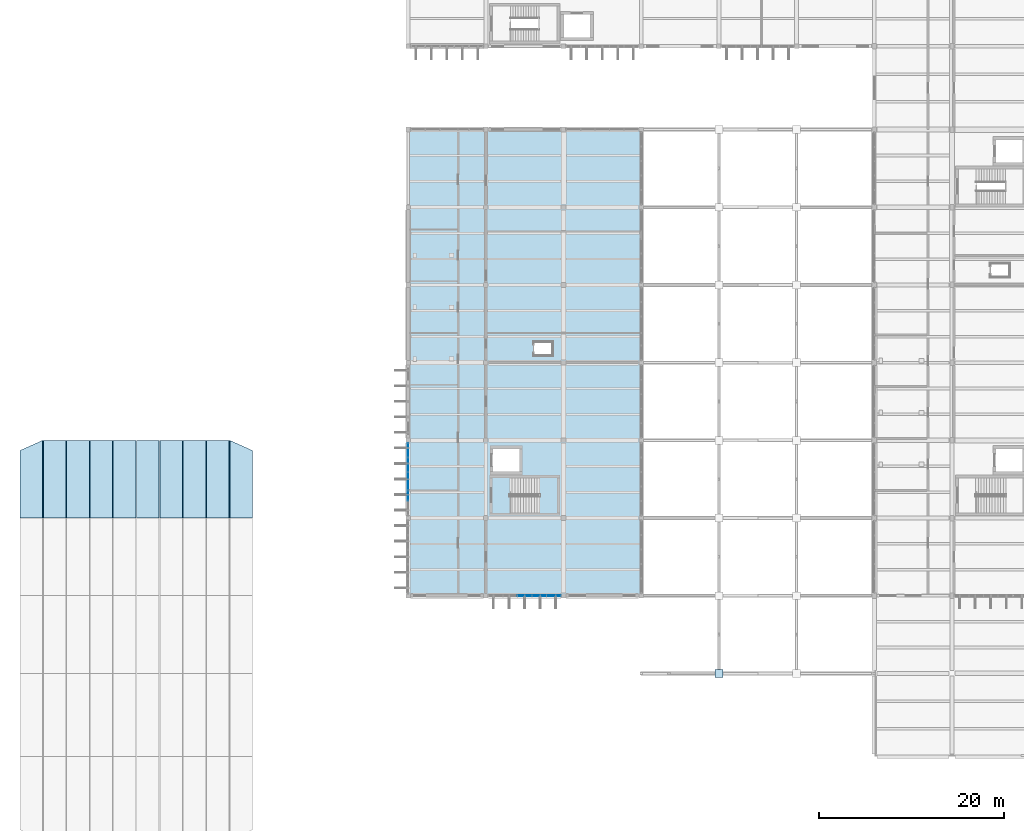
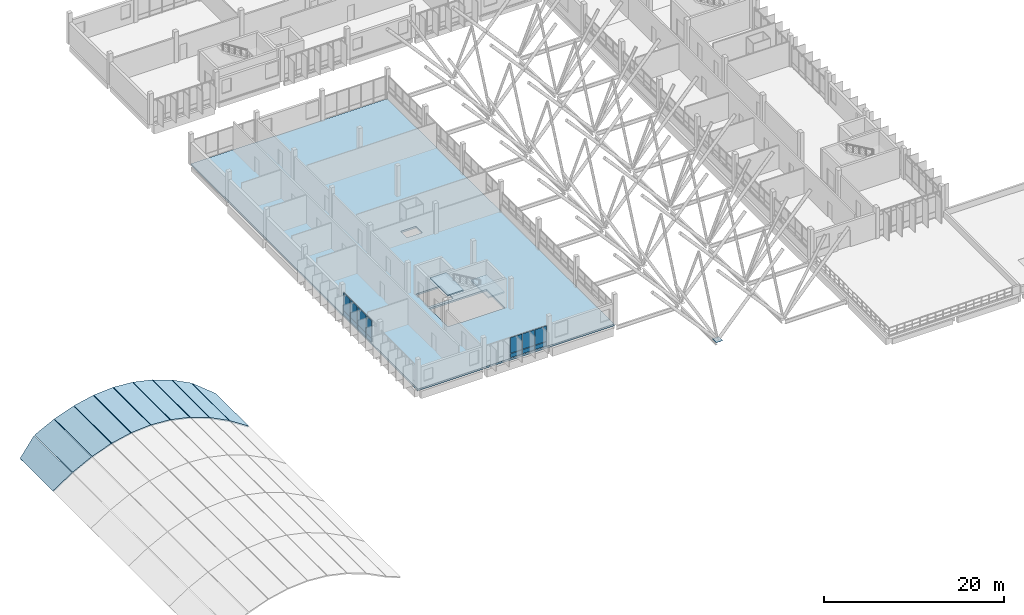
# One storey, part 73 of 107: 15 plates, 13 slabs, 3 openings, 4 elements without a shape of their own.
"""IFC4 building model written with IfcOpenShell, lengths in metres."""

from ifc_helpers import new_model, si_unit, direction, frame, origin, origin_2d, place, context, subcontext, project, spatial, polyline, rectangle, outline, extrude, material, layer, layer_set, type_object, element, aggregate, save


model = new_model("IFC4")

# Units and contexts
model_context = context("Model", 3, precision=1e-05, world=origin(), true_north=direction((0.0, 1.0)))
body_context = subcontext(model_context, "Body", "Model", "MODEL_VIEW")
ifc_project = project(units=[si_unit("LENGTHUNIT", "METRE"), si_unit("AREAUNIT", "SQUARE_METRE"), si_unit("VOLUMEUNIT", "CUBIC_METRE"), si_unit("PLANEANGLEUNIT", "RADIAN"), si_unit("MASSUNIT", "GRAM", prefix="KILO")], contexts=[model_context])

# Site, building, storey
site_placement = place(None, origin())
site = spatial("IfcSite", under=ifc_project, at=site_placement, CompositionType="ELEMENT")
building_placement = place(site_placement, origin())
building = spatial("IfcBuilding", under=site, at=building_placement, Name="Vireocrest Preparatory School", CompositionType="ELEMENT")
storey_placement = place(building_placement, frame((0.0, 0.0, 13.199951171875)))
storey = spatial("IfcBuildingStorey", under=building, at=storey_placement, Name="L03", CompositionType="ELEMENT", Elevation=13.199951171875)

# Curtain wall, plates
ifc_material_1 = material(Name="Thermally broken aluminium EN AW-6063-T6", Category="aluminium")
ifc_layer_1 = layer(ifc_material_1, 0.179931640625)
ifc_layer_set_1 = layer_set([ifc_layer_1], Name="Thermally broken aluminium EN AW-6063-T6")
curtain_wall_type_1 = type_object("IfcCurtainWallType", Name="Teaching Fin Curtain Wall 8400x4200", PredefinedType="USERDEFINED", material=ifc_layer_set_1)
curtain_wall_1_placement = place(storey_placement, origin())
curtain_wall_1 = element("IfcCurtainWall", 1, at=curtain_wall_1_placement, inside=storey, type_object=curtain_wall_type_1, Name="Curtain Wall CW03 CW_L03_CW03_0420_0440_132", ObjectType="CURTAIN WALL", PredefinedType="USERDEFINED")
ifc_material_2 = material(Name="Insulated triple low-e tempered safety glass", Category="glass")
ifc_layer_2 = layer(ifc_material_2, 0.074951171875)
ifc_layer_set_2 = layer_set([ifc_layer_2], Name="Insulated triple low-e tempered safety glass")
plate_type_1 = type_object("IfcPlateType", Name="Acoustic Triple-Glazed Lab Curtain Panel 75", PredefinedType="CURTAIN_PANEL", material=ifc_layer_set_2)
plate_1_placement = place(storey_placement, frame((42.0, 46.2255859375, 0.12744140625), z_axis=(0.0, 0.0, 1.0), x_axis=(0.0, 1.0, 0.0)))
plate_1 = element("IfcPlate", 2, at=plate_1_placement, type_object=plate_type_1, Name="CW Panel GL2 CW_L03_CW03_0420_0440_132-2-1", PredefinedType="CURTAIN_PANEL", context=body_context, shape_type="SweptSolid", body=[
    extrude(rectangle(XDim=1.083984375, YDim=0.074951171875, at=origin_2d()), origin(), (0.0, 0.0, 1.0), 0.5400390625),
])
plate_2_placement = place(storey_placement, frame((42.0, 46.2255859375, 0.732421875), z_axis=(0.0, 0.0, 1.0), x_axis=(0.0, 1.0, 0.0)))
plate_2 = element("IfcPlate", 3, at=plate_2_placement, type_object=plate_type_1, Name="CW Panel GL2 CW_L03_CW03_0420_0440_132-2-2", PredefinedType="CURTAIN_PANEL", context=body_context, shape_type="SweptSolid", body=[
    extrude(rectangle(XDim=1.083984375, YDim=0.074951171875, at=origin_2d()), origin(), (0.0, 0.0, 1.0), 2.3701171875),
])
plate_3_placement = place(storey_placement, frame((42.0, 47.79150390625, 0.12744140625), z_axis=(0.0, 0.0, 1.0), x_axis=(0.0, 1.0, 0.0)))
plate_3 = element("IfcPlate", 4, at=plate_3_placement, type_object=plate_type_1, Name="CW Panel GL2 CW_L03_CW03_0420_0440_132-3-1", PredefinedType="CURTAIN_PANEL", context=body_context, shape_type="SweptSolid", body=[
    extrude(rectangle(XDim=1.91796875, YDim=0.074951171875, at=origin_2d()), origin(), (0.0, 0.0, 1.0), 0.5400390625),
])
plate_4_placement = place(storey_placement, frame((42.0, 47.79150390625, 0.732421875), z_axis=(0.0, 0.0, 1.0), x_axis=(0.0, 1.0, 0.0)))
plate_4 = element("IfcPlate", 5, at=plate_4_placement, type_object=plate_type_1, Name="CW Panel GL2 CW_L03_CW03_0420_0440_132-3-2", PredefinedType="CURTAIN_PANEL", context=body_context, shape_type="SweptSolid", body=[
    extrude(rectangle(XDim=1.91796875, YDim=0.074951171875, at=origin_2d()), origin(), (0.0, 0.0, 1.0), 2.3701171875),
])
plate_5_placement = place(storey_placement, frame((42.0, 49.56591796875, 0.12744140625), z_axis=(0.0, 0.0, 1.0), x_axis=(0.0, 1.0, 0.0)))
plate_5 = element("IfcPlate", 6, at=plate_5_placement, type_object=plate_type_1, Name="CW Panel GL2 CW_L03_CW03_0420_0440_132-4-1", PredefinedType="CURTAIN_PANEL", context=body_context, shape_type="SweptSolid", body=[
    extrude(rectangle(XDim=1.5009765625, YDim=0.074951171875, at=origin_2d()), origin(), (0.0, 0.0, 1.0), 0.5400390625),
])
plate_6_placement = place(storey_placement, frame((42.0, 49.56591796875, 0.732421875), z_axis=(0.0, 0.0, 1.0), x_axis=(0.0, 1.0, 0.0)))
plate_6 = element("IfcPlate", 7, at=plate_6_placement, type_object=plate_type_1, Name="CW Panel GL2 CW_L03_CW03_0420_0440_132-4-2", PredefinedType="CURTAIN_PANEL", context=body_context, shape_type="SweptSolid", body=[
    extrude(rectangle(XDim=1.5009765625, YDim=0.074951171875, at=origin_2d()), origin(), (0.0, 0.0, 1.0), 2.3701171875),
])
plate_7_placement = place(storey_placement, frame((42.0, 51.132080078125, 0.12744140625), z_axis=(0.0, 0.0, 1.0), x_axis=(0.0, 1.0, 0.0)))
plate_7 = element("IfcPlate", 8, at=plate_7_placement, type_object=plate_type_1, Name="CW Panel GL2 CW_L03_CW03_0420_0440_132-5-1", PredefinedType="CURTAIN_PANEL", context=body_context, shape_type="SweptSolid", body=[
    extrude(rectangle(XDim=1.5009765625, YDim=0.074951171875, at=origin_2d()), origin(), (0.0, 0.0, 1.0), 0.5400390625),
])
plate_8_placement = place(storey_placement, frame((42.0, 51.132080078125, 0.732421875), z_axis=(0.0, 0.0, 1.0), x_axis=(0.0, 1.0, 0.0)))
plate_8 = element("IfcPlate", 9, at=plate_8_placement, type_object=plate_type_1, Name="CW Panel GL2 CW_L03_CW03_0420_0440_132-5-2", PredefinedType="CURTAIN_PANEL", context=body_context, shape_type="SweptSolid", body=[
    extrude(rectangle(XDim=1.5009765625, YDim=0.074951171875, at=origin_2d()), origin(), (0.0, 0.0, 1.0), 2.3701171875),
])
aggregate(curtain_wall_1, [plate_1, plate_2, plate_3, plate_4, plate_5, plate_6, plate_7, plate_8])

ifc_layer_3 = layer(ifc_material_1, 0.179931640625)
ifc_layer_set_3 = layer_set([ifc_layer_3], Name="Thermally broken aluminium EN AW-6063-T6")
curtain_wall_type_2 = type_object("IfcCurtainWallType", Name="Library Reading Bay Glazing 7600x4200", PredefinedType="USERDEFINED", material=ifc_layer_set_3)
curtain_wall_2_placement = place(storey_placement, origin())
curtain_wall_2 = element("IfcCurtainWall", 10, at=curtain_wall_2_placement, inside=storey, type_object=curtain_wall_type_2, Name="Curtain Wall CW16 CW_L03_CW16_0506_0354_132", ObjectType="CURTAIN WALL", PredefinedType="USERDEFINED")
plate_9_placement = place(storey_placement, frame((54.60009765625, 35.39990234375, 0.12744140625), z_axis=(0.0, 0.0, 1.0), x_axis=(1.0, 0.0, 0.0)))
plate_9 = element("IfcPlate", 11, at=plate_9_placement, type_object=plate_type_1, Name="CW Panel GL2 CW_L03_CW16_0506_0354_132-3-1", PredefinedType="CURTAIN_PANEL", context=body_context, shape_type="SweptSolid", body=[
    extrude(rectangle(XDim=1.5009765625, YDim=0.074951171875, at=origin_2d()), origin(), (0.0, 0.0, 1.0), 0.5400390625),
])
plate_10_placement = place(storey_placement, frame((54.60009765625, 35.39990234375, 0.732421875), z_axis=(0.0, 0.0, 1.0), x_axis=(1.0, 0.0, 0.0)))
plate_10 = element("IfcPlate", 12, at=plate_10_placement, type_object=plate_type_1, Name="CW Panel GL2 CW_L03_CW16_0506_0354_132-3-2", PredefinedType="CURTAIN_PANEL", context=body_context, shape_type="SweptSolid", body=[
    extrude(rectangle(XDim=1.5009765625, YDim=0.074951171875, at=origin_2d()), origin(), (0.0, 0.0, 1.0), 2.090087890625),
])
plate_11_placement = place(storey_placement, frame((56.166015625, 35.39990234375, 0.12744140625), z_axis=(0.0, 0.0, 1.0), x_axis=(1.0, 0.0, 0.0)))
plate_11 = element("IfcPlate", 13, at=plate_11_placement, type_object=plate_type_1, Name="CW Panel GL2 CW_L03_CW16_0506_0354_132-4-1", PredefinedType="CURTAIN_PANEL", context=body_context, shape_type="SweptSolid", body=[
    extrude(rectangle(XDim=1.5009765625, YDim=0.074951171875, at=origin_2d()), origin(), (0.0, 0.0, 1.0), 0.5400390625),
])
plate_12_placement = place(storey_placement, frame((56.166015625, 35.39990234375, 0.732421875), z_axis=(0.0, 0.0, 1.0), x_axis=(1.0, 0.0, 0.0)))
plate_12 = element("IfcPlate", 14, at=plate_12_placement, type_object=plate_type_1, Name="CW Panel GL2 CW_L03_CW16_0506_0354_132-4-2", PredefinedType="CURTAIN_PANEL", context=body_context, shape_type="SweptSolid", body=[
    extrude(rectangle(XDim=1.5009765625, YDim=0.074951171875, at=origin_2d()), origin(), (0.0, 0.0, 1.0), 2.090087890625),
])
plate_13_placement = place(storey_placement, frame((57.73193359375, 35.39990234375, 0.12744140625), z_axis=(0.0, 0.0, 1.0), x_axis=(1.0, 0.0, 0.0)))
plate_13 = element("IfcPlate", 15, at=plate_13_placement, type_object=plate_type_1, Name="CW Panel GL2 CW_L03_CW16_0506_0354_132-5-1", PredefinedType="CURTAIN_PANEL", context=body_context, shape_type="SweptSolid", body=[
    extrude(rectangle(XDim=1.5009765625, YDim=0.074951171875, at=origin_2d()), origin(), (0.0, 0.0, 1.0), 0.5400390625),
])
plate_14_placement = place(storey_placement, frame((57.73193359375, 35.39990234375, 0.732421875), z_axis=(0.0, 0.0, 1.0), x_axis=(1.0, 0.0, 0.0)))
plate_14 = element("IfcPlate", 16, at=plate_14_placement, type_object=plate_type_1, Name="CW Panel GL2 CW_L03_CW16_0506_0354_132-5-2", PredefinedType="CURTAIN_PANEL", context=body_context, shape_type="SweptSolid", body=[
    extrude(rectangle(XDim=1.5009765625, YDim=0.074951171875, at=origin_2d()), origin(), (0.0, 0.0, 1.0), 2.090087890625),
])
aggregate(curtain_wall_2, [plate_9, plate_10, plate_11, plate_12, plate_13, plate_14])

# Roof, slabs
ifc_material_3 = material(Name="Structural steel ASTM A992 Grade 50", Category="steel")
ifc_layer_4 = layer(ifc_material_3, 0.159912109375)
ifc_layer_set_4 = layer_set([ifc_layer_4], Name="Structural steel ASTM A992 Grade 50")
roof_type = type_object("IfcRoofType", Name="Exposed Steel Barrel Vault Roof Assembly", PredefinedType="BARREL_ROOF", material=ifc_layer_set_4)
roof_placement = place(storey_placement, origin())
roof = element("IfcRoof", 17, at=roof_placement, inside=storey, type_object=roof_type, Name="Sports Hall Barrel Vault Roof", PredefinedType="BARREL_ROOF")
ifc_material_4 = material(Name="Concrete 40 MPa", Category="concrete")
ifc_layer_5 = layer(ifc_material_4, 0.159912109375)
ifc_layer_set_5 = layer_set([ifc_layer_5], Name="Concrete 40 MPa")
slab_type_1 = type_object("IfcSlabType", Name="Barrel Vault Insulated Composite Roof Deck 160", PredefinedType="ROOF", material=ifc_layer_set_5)
slab_1_placement = place(storey_placement, frame((0.034912109375, 43.800048828125, -4.232421875), z_axis=(-0.549114740494, 0.0, 0.835746972338), x_axis=(0.835746972338, 0.0, 0.549114740494)))
slab_1 = element("IfcSlab", 18, at=slab_1_placement, type_object=slab_type_1, Name="Sports Hall Barrel Vault Roof Barrel Vault Roof Slab 5-1", PredefinedType="ROOF", context=body_context, shape_type="SweptSolid", body=[
    extrude(outline(polyline([(0.0, 0.0), (2.9317429719731556, 0.0), (2.9317429719731556, 8.39990234375), (0.0, 7.300048828125), (0.0, 0.0)])), origin(), (0.0, 0.0, -1.0), 0.159912109375),
])
slab_2_placement = place(storey_placement, frame((2.554931640625, 43.800048828125, -2.58154296875), z_axis=(-0.455111059789, 0.0, 0.890434682196), x_axis=(0.890434682196, 0.0, 0.455111059789)))
slab_2 = element("IfcSlab", 19, at=slab_2_placement, type_object=slab_type_1, Name="Sports Hall Barrel Vault Roof Barrel Vault Roof Slab 5-2", PredefinedType="ROOF", context=body_context, shape_type="SweptSolid", body=[
    extrude(outline(polyline([(0.0, 0.0), (2.7514103177480473, 0.0), (2.7514103177480473, 8.39990234375), (0.0, 8.39990234375), (0.0, 0.0)])), origin(), (0.0, 0.0, -1.0), 0.159912109375),
])
slab_3_placement = place(storey_placement, frame((5.074951171875, 43.800048828125, -1.298583984375), z_axis=(-0.342892773142, 0.0, 0.9393745505), x_axis=(0.9393745505, 0.0, 0.342892773142)))
slab_3 = element("IfcSlab", 20, at=slab_3_placement, type_object=slab_type_1, Name="Sports Hall Barrel Vault Roof Barrel Vault Roof Slab 5-3", PredefinedType="ROOF", context=body_context, shape_type="SweptSolid", body=[
    extrude(outline(polyline([(0.0, 0.0), (2.6080663677456486, 0.0), (2.6080663677456486, 8.399902343750002), (0.0, 8.399902343750002), (0.0, 0.0)])), origin(), (0.0, 0.0, -1.0), 0.159912109375),
])
slab_4_placement = place(storey_placement, frame((7.594970703125, 43.800048828125, -0.3837890625), z_axis=(-0.213961050229, 0.0, 0.976842192468), x_axis=(0.976842192468, 0.0, 0.213961050229)))
slab_4 = element("IfcSlab", 21, at=slab_4_placement, type_object=slab_type_1, Name="Sports Hall Barrel Vault Roof Barrel Vault Roof Slab 5-4", PredefinedType="ROOF", context=body_context, shape_type="SweptSolid", body=[
    extrude(outline(polyline([(0.0, 0.0), (2.5080316869667203, 0.0), (2.5080316869667203, 8.39990234375), (0.0, 8.39990234375), (0.0, 0.0)])), origin(), (0.0, 0.0, -1.0), 0.159912109375),
])
slab_5_placement = place(storey_placement, frame((10.114990234375, 43.800048828125, 0.1630859375), z_axis=(-0.072850257923, 0.0, 0.997342889843), x_axis=(0.997342889843, 0.0, 0.072850257923)))
slab_5 = element("IfcSlab", 22, at=slab_5_placement, type_object=slab_type_1, Name="Sports Hall Barrel Vault Roof Barrel Vault Roof Slab 5-5", PredefinedType="ROOF", context=body_context, shape_type="SweptSolid", body=[
    extrude(outline(polyline([(0.0, 0.0), (2.4564783053302977, 0.0), (2.4564783053302977, 8.399902343750002), (0.0, 8.399902343750002), (0.0, 0.0)])), origin(), (0.0, 0.0, -1.0), 0.159912109375),
])
slab_6_placement = place(storey_placement, frame((12.635009765625, 43.800048828125, 0.342041015625), z_axis=(0.072850257923, 0.0, 0.997342889843), x_axis=(0.997342889843, 0.0, -0.072850257923)))
slab_6 = element("IfcSlab", 23, at=slab_6_placement, type_object=slab_type_1, Name="Sports Hall Barrel Vault Roof Barrel Vault Roof Slab 5-6", PredefinedType="ROOF", context=body_context, shape_type="SweptSolid", body=[
    extrude(outline(polyline([(0.0, 0.0), (2.4564783053302977, 0.0), (2.4564783053302977, 8.399902343750002), (0.0, 8.399902343750002), (0.0, 0.0)])), origin(), (0.0, 0.0, -1.0), 0.159912109375),
])
slab_7_placement = place(storey_placement, frame((15.155029296875, 43.800048828125, 0.15283203125), z_axis=(0.213961050229, 0.0, 0.976842192468), x_axis=(0.976842192468, 0.0, -0.213961050229)))
slab_7 = element("IfcSlab", 24, at=slab_7_placement, type_object=slab_type_1, Name="Sports Hall Barrel Vault Roof Barrel Vault Roof Slab 5-7", PredefinedType="ROOF", context=body_context, shape_type="SweptSolid", body=[
    extrude(outline(polyline([(0.0, 0.0), (2.5080316869667203, 0.0), (2.5080316869667203, 8.39990234375), (0.0, 8.39990234375), (0.0, 0.0)])), origin(), (0.0, 0.0, -1.0), 0.159912109375),
])
slab_8_placement = place(storey_placement, frame((17.675048828125, 43.800048828125, -0.404296875), z_axis=(0.342892773142, 0.0, 0.9393745505), x_axis=(0.9393745505, 0.0, -0.342892773142)))
slab_8 = element("IfcSlab", 25, at=slab_8_placement, type_object=slab_type_1, Name="Sports Hall Barrel Vault Roof Barrel Vault Roof Slab 5-8", PredefinedType="ROOF", context=body_context, shape_type="SweptSolid", body=[
    extrude(outline(polyline([(0.0, 0.0), (2.6080663677456486, 0.0), (2.6080663677456486, 8.399902343750002), (0.0, 8.399902343750002), (0.0, 0.0)])), origin(), (0.0, 0.0, -1.0), 0.159912109375),
])
slab_9_placement = place(storey_placement, frame((20.195068359375, 43.800048828125, -1.329345703125), z_axis=(0.455111059789, 0.0, 0.890434682196), x_axis=(0.890434682196, 0.0, -0.455111059789)))
slab_9 = element("IfcSlab", 26, at=slab_9_placement, type_object=slab_type_1, Name="Sports Hall Barrel Vault Roof Barrel Vault Roof Slab 5-9", PredefinedType="ROOF", context=body_context, shape_type="SweptSolid", body=[
    extrude(outline(polyline([(0.0, 0.0), (2.7514103177480473, 0.0), (2.7514103177480473, 8.39990234375), (0.0, 8.39990234375), (0.0, 0.0)])), origin(), (0.0, 0.0, -1.0), 0.159912109375),
])
slab_10_placement = place(storey_placement, frame((22.715087890625, 43.800048828125, -2.62255859375), z_axis=(0.549152959182, 0.0, 0.835721860084), x_axis=(0.835721860084, 0.0, -0.549152959182)))
slab_10 = element("IfcSlab", 27, at=slab_10_placement, type_object=slab_type_1, Name="Sports Hall Barrel Vault Roof Barrel Vault Roof Slab 5-10", PredefinedType="ROOF", context=body_context, shape_type="SweptSolid", body=[
    extrude(outline(polyline([(0.0, 0.0), (2.931538935250341, 0.0), (2.931538935250341, 7.300048828125), (0.0, 8.39990234375), (0.0, 0.0)])), origin(), (0.0, 0.0, -1.0), 0.159912109375),
])
aggregate(roof, [slab_1, slab_2, slab_3, slab_4, slab_5, slab_6, slab_7, slab_8, slab_9, slab_10])

# Slab, openings
ifc_layer_6 = layer(ifc_material_4, 0.239990234375)
ifc_layer_set_6 = layer_set([ifc_layer_6], Name="Concrete 40 MPa")
slab_type_2 = type_object("IfcSlabType", Name="Classroom Suspended RC Floor Slab 240", PredefinedType="FLOOR", material=ifc_layer_set_6)
slab_11_placement = place(storey_placement, frame((0.0, 0.0, -0.239990234375)))
slab_11 = element("IfcSlab", 28, at=slab_11_placement, inside=storey, type_object=slab_type_2, Name="Slab L03_WEST_BAR", PredefinedType="FLOOR", context=body_context, shape_type="SweptSolid", body=[
    extrude(outline(polyline([(42.0, 35.39990234375), (67.199951171875, 35.39990234375), (67.199951171875, 85.800048828125), (42.0, 85.800048828125), (42.0, 35.39990234375)])), origin(), (0.0, 0.0, 1.0), 0.239990234375),
])
opening_1_placement = place(slab_11_placement, frame((0.0, 0.0, -0.010009765625)))
element("IfcOpeningElement", 29, at=opening_1_placement, cuts=slab_11, Name="Slab Opening SLAB_L03_WEST_BAR-1", PredefinedType="OPENING", context=body_context, shape_type="SweptSolid", body=[
    extrude(outline(polyline([(50.949951171875, 44.199951171875), (58.25, 44.199951171875), (58.25, 48.300048828125), (50.949951171875, 48.300048828125), (50.949951171875, 44.199951171875)])), origin(), (0.0, 0.0, 1.0), 0.260009765625),
])
opening_2_placement = place(slab_11_placement, frame((0.0, 0.0, -0.010009765625)))
element("IfcOpeningElement", 30, at=opening_2_placement, cuts=slab_11, Name="Slab Opening SLAB_L03_WEST_BAR-2", PredefinedType="OPENING", context=body_context, shape_type="SweptSolid", body=[
    extrude(outline(polyline([(51.0, 48.64990234375), (54.199951171875, 48.64990234375), (54.199951171875, 51.449951171875), (51.0, 51.449951171875), (51.0, 48.64990234375)])), origin(), (0.0, 0.0, 1.0), 0.260009765625),
])
opening_3_placement = place(slab_11_placement, frame((0.0, 0.0, -0.010009765625)))
element("IfcOpeningElement", 31, at=opening_3_placement, cuts=slab_11, Name="Slab Opening SLAB_L03_WEST_BAR-3", PredefinedType="OPENING", context=body_context, shape_type="SweptSolid", body=[
    extrude(outline(polyline([(55.60009765625, 61.39990234375), (57.60009765625, 61.39990234375), (57.60009765625, 62.800048828125), (55.60009765625, 62.800048828125), (55.60009765625, 61.39990234375)])), origin(), (0.0, 0.0, 1.0), 0.260009765625),
])

# Stair, slabs
stair_type = type_object("IfcStairType", Name="Feature Library Stair 4200 Rise 1800 Wide", PredefinedType="HALF_TURN_STAIR", material=ifc_material_4)
stair_placement = place(storey_placement, origin())
stair = element("IfcStair", 32, at=stair_placement, inside=storey, type_object=stair_type, Name="Two-Run Stair ST1-L03", PredefinedType="HALF_TURN_STAIR")
ifc_layer_7 = layer(ifc_material_4, 0.179931640625)
ifc_layer_set_7 = layer_set([ifc_layer_7], Name="Concrete 40 MPa")
slab_type_3 = type_object("IfcSlabType", Name="Precast Concrete Stair Landing Slab 180", PredefinedType="LANDING", material=ifc_layer_set_7)
slab_12_placement = place(storey_placement, frame((0.0, 0.0, 1.920166015625)))
slab_12 = element("IfcSlab", 33, at=slab_12_placement, type_object=slab_type_3, Name="Stair Half-Landing ST1-L03", PredefinedType="LANDING", context=body_context, shape_type="SweptSolid", body=[
    extrude(outline(polyline([(56.18994140625, 44.31005859375), (58.2451171875, 44.31005859375), (58.2451171875, 48.18994140625), (56.18994140625, 48.18994140625), (56.18994140625, 44.31005859375)])), origin(), (0.0, 0.0, 1.0), 0.179931640625),
])
slab_13_placement = place(storey_placement, frame((0.0, 0.0, 4.02001953125)))
slab_13 = element("IfcSlab", 34, at=slab_13_placement, type_object=slab_type_3, Name="Stair Arrival Landing ST1-L03", PredefinedType="LANDING", context=body_context, shape_type="SweptSolid", body=[
    extrude(outline(polyline([(50.955078125, 44.31005859375), (53.010009765625, 44.31005859375), (53.010009765625, 48.18994140625), (50.955078125, 48.18994140625), (50.955078125, 44.31005859375)])), origin(), (0.0, 0.0, 1.0), 0.179931640625),
])
aggregate(stair, [slab_12, slab_13])

# Plate
ifc_material_5 = material(Name="Structural steel ASTM A572 Grade 50", Category="steel")
ifc_layer_8 = layer(ifc_material_5, 0.035888671875)
ifc_layer_set_8 = layer_set([ifc_layer_8], Name="Structural steel ASTM A572 Grade 50")
plate_type_2 = type_object("IfcPlateType", Name="V-Column Bolted Fork Steel Node Plate 36", PredefinedType="SHEET", material=ifc_layer_set_8)
plate_15_placement = place(storey_placement, frame((75.60009765625, 27.0, 0.0), z_axis=(0.0, 0.0, 1.0), x_axis=(1.0, 0.0, 0.0)))
element("IfcPlate", 35, at=plate_15_placement, inside=storey, type_object=plate_type_2, Name="Node VN1 V-Column Fork Plate W1", PredefinedType="SHEET", context=body_context, shape_type="SweptSolid", body=[
    extrude(rectangle(XDim=0.85009765625, YDim=0.85009765625, at=origin_2d()), origin(), (0.0, 0.0, 1.0), 0.035888671875),
])

save(model, "model.ifc")
